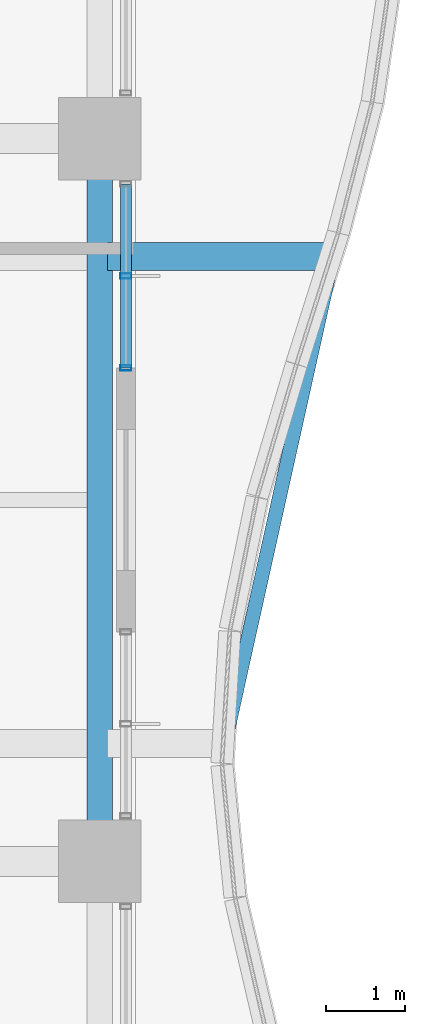
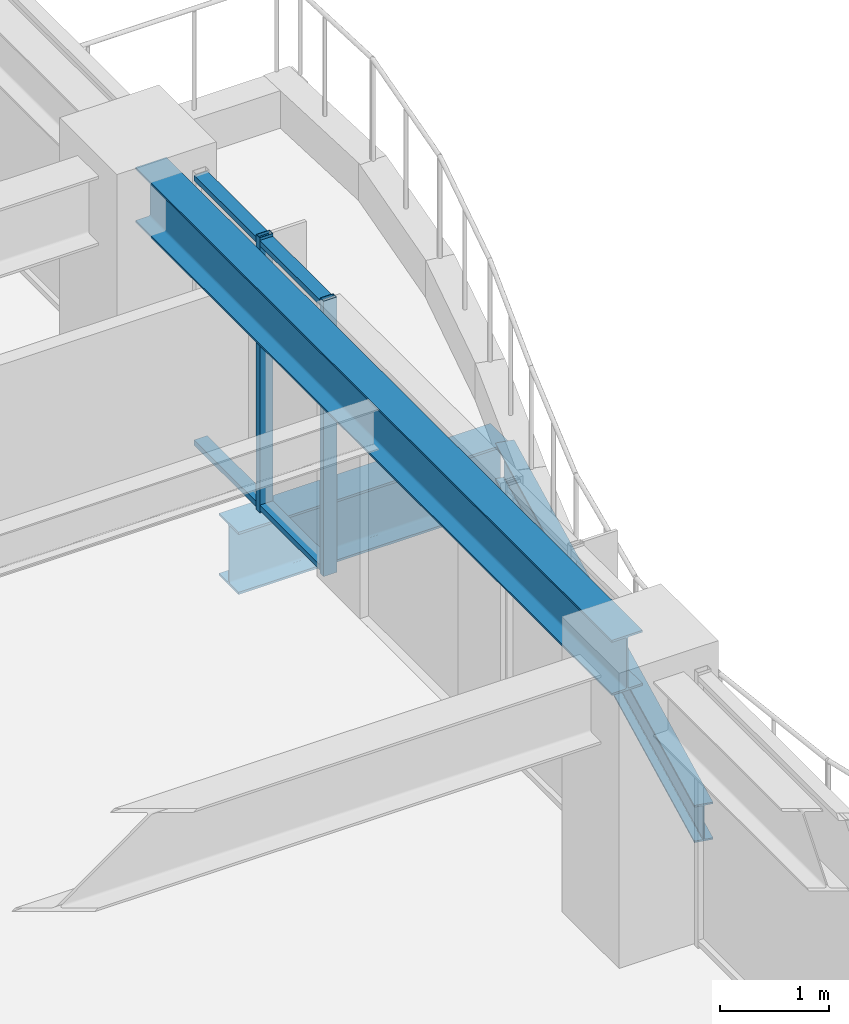
# One storey, part 17 of 36: 4 members, 3 beams, 1 element without a shape of its own.
"""IFC4 building model written with IfcOpenShell, lengths in metres."""

from ifc_helpers import new_model, si_unit, direction, frame, origin, origin_2d, place, context, subcontext, project, spatial, hollow_rectangle, i_section, extrude, material, material_profile, profile_set, type_object, element, aggregate, save


model = new_model("IFC4")

# Units and contexts
model_context = context("Model", 3, precision=1e-05, world=origin(), true_north=direction((0.0, 1.0)))
body_context = subcontext(model_context, "Body", "Model", "MODEL_VIEW")
ifc_project = project(units=[si_unit("LENGTHUNIT", "METRE"), si_unit("AREAUNIT", "SQUARE_METRE"), si_unit("VOLUMEUNIT", "CUBIC_METRE"), si_unit("PLANEANGLEUNIT", "RADIAN"), si_unit("MASSUNIT", "GRAM", prefix="KILO")], contexts=[model_context])

# Site, building, storey
site_placement = place(None, origin())
site = spatial("IfcSite", under=ifc_project, at=site_placement, CompositionType="ELEMENT")
building_placement = place(site_placement, origin())
building = spatial("IfcBuilding", under=site, at=building_placement, Name="Kolvaren Belvedere", CompositionType="ELEMENT")
storey_placement = place(building_placement, frame((0.0, 0.0, 92.0)))
storey = spatial("IfcBuildingStorey", under=building, at=storey_placement, Name="L26", CompositionType="ELEMENT", Elevation=92.0)

# Beams
ifc_material_1 = material(Name="Structural steel ASTM A992 Grade 50", Category="steel")
ifc_material_profile_1 = material_profile(ifc_material_1, i_section(OverallWidth=0.35498046875, OverallDepth=0.696044921875, WebThickness=0.015380859375, FlangeThickness=0.02490234375, FilletRadius=0.02197265625, at=origin_2d()), Name="W27X146")
ifc_profile_set_1 = profile_set([ifc_material_profile_1], Name="Structural steel ASTM A992 Grade 50")
beam_type_1 = type_object("IfcBeamType", Name="BM-CANT-BAL", PredefinedType="BEAM", material=ifc_profile_set_1)
beam_1_placement = place(storey_placement, frame((20.044921875, 3.10009765625, -0.568115234375), z_axis=(1.0, 0.0, 0.0), x_axis=(0.0, 1.0, 0.0)))
element("IfcBeam", 1, at=beam_1_placement, inside=storey, type_object=beam_type_1, Name="L26 Planted Balcony Cantilever BAL-E-2", PredefinedType="BEAM", context=body_context, shape_type="SweptSolid", body=[
    extrude(i_section(OverallWidth=0.35498046875, OverallDepth=0.696044921875, WebThickness=0.015380859375, FlangeThickness=0.02490234375, FilletRadius=0.02197265625, at=origin_2d()), origin(), (0.0, 0.0, 1.0), 2.8701171875),
])
ifc_material_2 = material(Name="Structural steel ASTM A992 Grade 50", Category="steel")
ifc_material_profile_2 = material_profile(ifc_material_2, i_section(OverallWidth=0.180908203125, OverallDepth=0.4169921875, WebThickness=0.010986328125, FlangeThickness=0.018310546875, FilletRadius=0.013916015625, at=origin_2d()), Name="W16X57")
ifc_profile_set_2 = profile_set([ifc_material_profile_2], Name="Structural steel ASTM A992 Grade 50")
beam_type_2 = type_object("IfcBeamType", Name="BM-EDGE-W16X57", PredefinedType="BEAM", material=ifc_profile_set_2)
beam_2_placement = place(storey_placement, frame((21.568115234375, -2.96337890625, -0.428466796875), z_axis=(0.216866590272, 0.97620125078, 0.0), x_axis=(-0.97620125078, 0.216866590272, 0.0)))
element("IfcBeam", 2, at=beam_2_placement, inside=storey, type_object=beam_type_2, Name="L26 Balcony Tip Header Beam BAL-E", PredefinedType="BEAM", context=body_context, shape_type="SweptSolid", body=[
    extrude(i_section(OverallWidth=0.180908203125, OverallDepth=0.4169921875, WebThickness=0.010986328125, FlangeThickness=0.018310546875, FilletRadius=0.013916015625, at=origin_2d()), origin(), (0.0, 0.0, 1.0), 6.0712890625),
])
ifc_material_3 = material(Name="Structural steel ASTM A992 Grade 50", Category="steel")
ifc_material_profile_3 = material_profile(ifc_material_3, i_section(OverallWidth=0.324951171875, OverallDepth=0.615966796875, WebThickness=0.013916015625, FlangeThickness=0.021484375, FilletRadius=0.02001953125, at=origin_2d()), Name="W24X117")
ifc_profile_set_3 = profile_set([ifc_material_profile_3], Name="Structural steel ASTM A992 Grade 50")
beam_type_3 = type_object("IfcBeamType", Name="BM-SPAN-W24X117", PredefinedType="SPANDREL", material=ifc_profile_set_3)
beam_3_placement = place(storey_placement, frame((19.949951171875, -4.36376953125, 2.77197265625), z_axis=(0.0, 1.0, 0.0), x_axis=(-1.0, 0.0, 0.0)))
element("IfcBeam", 3, at=beam_3_placement, inside=storey, type_object=beam_type_3, Name="L26 Perimeter Spandrel E2-E3", PredefinedType="SPANDREL", context=body_context, shape_type="SweptSolid", body=[
    extrude(i_section(OverallWidth=0.324951171875, OverallDepth=0.615966796875, WebThickness=0.013916015625, FlangeThickness=0.021484375, FilletRadius=0.02001953125, at=origin_2d()), origin(), (0.0, 0.0, 1.0), 8.7275390625),
])

# Curtain wall, members
ifc_material_4 = material(Name="Anodised pale-metal aluminium AA 6063-T6", Category="aluminium")
curtain_wall_type = type_object("IfcCurtainWallType", Name="CW-Z2-MID", PredefinedType="NOTDEFINED", material=ifc_material_4)
curtain_wall_placement = place(storey_placement, origin())
curtain_wall = element("IfcCurtainWall", 4, at=curtain_wall_placement, inside=storey, type_object=curtain_wall_type, Name="L26 Unitised Curtain Wall FCW-L26-E1-B2", PredefinedType="NOTDEFINED")
ifc_material_5 = material(Name="Anodised pale-metal aluminium AA 6063-T6", Category="aluminium")
ifc_material_profile_4 = material_profile(ifc_material_5, hollow_rectangle(XDim=0.06494140625, YDim=0.139892578125, WallThickness=0.00390625, at=origin_2d()), Name="ALU-MUL-140X65")
ifc_profile_set_4 = profile_set([ifc_material_profile_4], Name="Anodised pale-metal aluminium AA 6063-T6")
member_type_1 = type_object("IfcMemberType", Name="CW-MUL-140", PredefinedType="MULLION", material=ifc_profile_set_4)
member_1_placement = place(storey_placement, frame((20.280029296875, 2.851318359375, 0.0), z_axis=(0.0, 0.0, 1.0), x_axis=(0.0, 1.0, 0.0)))
member_1 = element("IfcMember", 5, at=member_1_placement, type_object=member_type_1, Name="FCW-L26-E1-B2 Unitised Mullion 2", PredefinedType="MULLION", context=body_context, shape_type="SweptSolid", body=[
    extrude(hollow_rectangle(XDim=0.06494140625, YDim=0.139892578125, WallThickness=0.00390625, at=origin_2d()), origin(), (0.0, 0.0, 1.0), 3.080078125),
])
member_2_placement = place(storey_placement, frame((20.280029296875, 1.679931640625, 0.0), z_axis=(0.0, 0.0, 1.0), x_axis=(0.0, 1.0, 0.0)))
member_2 = element("IfcMember", 6, at=member_2_placement, type_object=member_type_1, Name="FCW-L26-E1-B2 Unitised Mullion 3", PredefinedType="MULLION", context=body_context, shape_type="SweptSolid", body=[
    extrude(hollow_rectangle(XDim=0.06494140625, YDim=0.139892578125, WallThickness=0.00390625, at=origin_2d()), origin(), (0.0, 0.0, 1.0), 3.080078125),
])
ifc_material_6 = material(Name="Anodised pale-metal aluminium AA 6063-T6", Category="aluminium")
ifc_material_profile_5 = material_profile(ifc_material_6, hollow_rectangle(XDim=0.06005859375, YDim=0.139892578125, WallThickness=0.00390625, at=origin_2d()), Name="ALU-TRN-140X60")
ifc_profile_set_5 = profile_set([ifc_material_profile_5], Name="Anodised pale-metal aluminium AA 6063-T6")
member_type_2 = type_object("IfcMemberType", Name="CW-TRN-140", PredefinedType="USERDEFINED", material=ifc_profile_set_5)
member_3_placement = place(storey_placement, frame((20.280029296875, 4.0224609375, 0.06005859375), z_axis=(0.0, -1.0, 0.0), x_axis=(0.0, 0.0, 1.0)))
member_3 = element("IfcMember", 7, at=member_3_placement, type_object=member_type_2, Name="FCW-L26-E1-B2 Sill Transom", ObjectType="TRANSOM", PredefinedType="USERDEFINED", context=body_context, shape_type="SweptSolid", body=[
    extrude(hollow_rectangle(XDim=0.06005859375, YDim=0.139892578125, WallThickness=0.00390625, at=origin_2d()), origin(), (0.0, 0.0, 1.0), 2.342529296875),
])
member_4_placement = place(storey_placement, frame((20.280029296875, 4.0224609375, 3.02001953125), z_axis=(0.0, -1.0, 0.0), x_axis=(0.0, 0.0, 1.0)))
member_4 = element("IfcMember", 8, at=member_4_placement, type_object=member_type_2, Name="FCW-L26-E1-B2 Head Transom", ObjectType="TRANSOM", PredefinedType="USERDEFINED", context=body_context, shape_type="SweptSolid", body=[
    extrude(hollow_rectangle(XDim=0.06005859375, YDim=0.139892578125, WallThickness=0.00390625, at=origin_2d()), origin(), (0.0, 0.0, 1.0), 2.342529296875),
])
aggregate(curtain_wall, [member_1, member_2, member_3, member_4])

save(model, "model.ifc")
